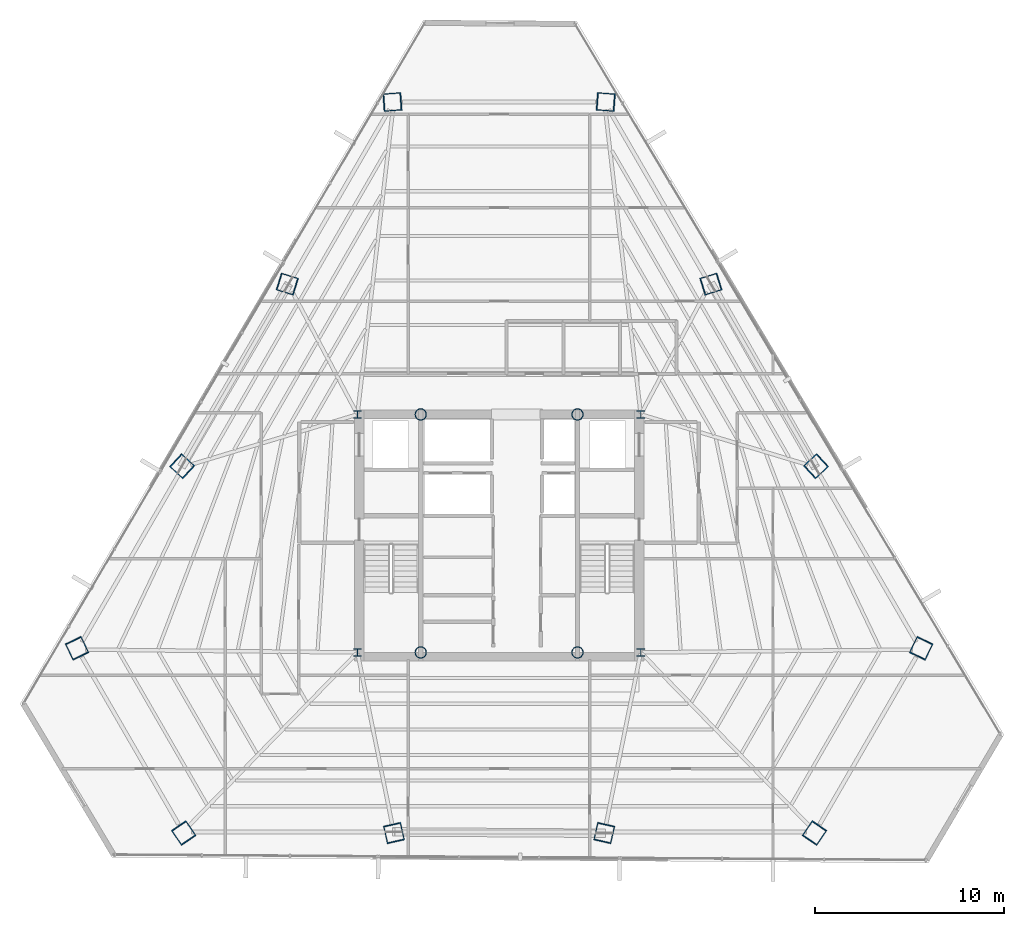
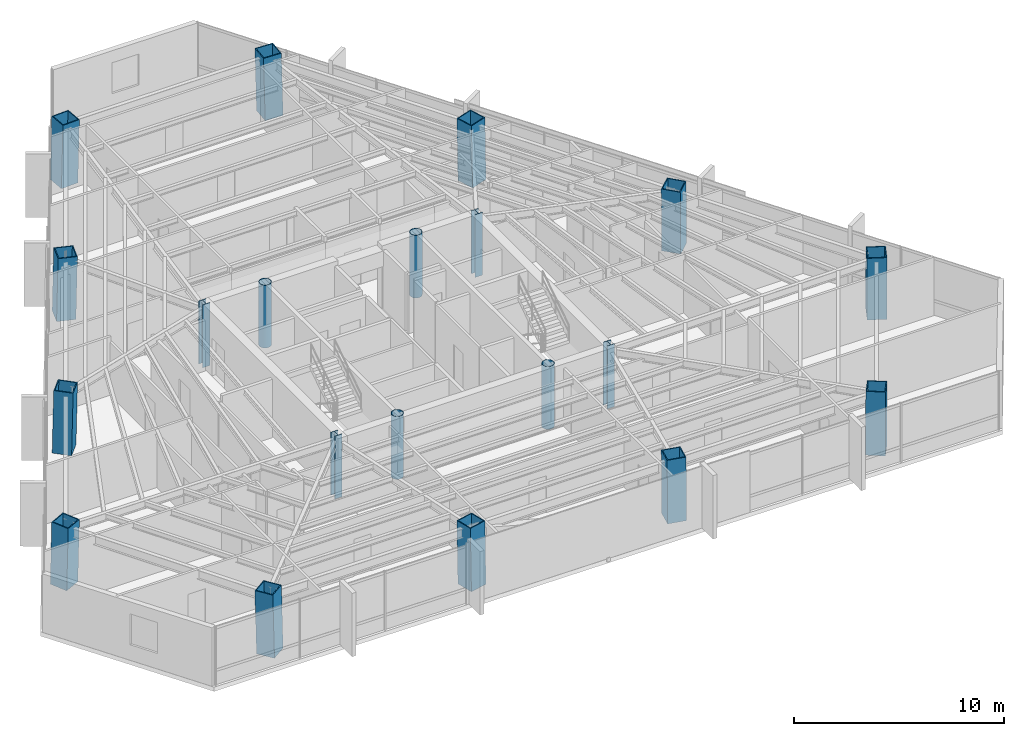
# One storey, part 1 of 41: 20 columns.
"""IFC4 building model written with IfcOpenShell, lengths in metres."""

from ifc_helpers import new_model, si_unit, direction, frame, origin, origin_2d, place, context, subcontext, project, spatial, hollow_rectangle, hollow_circle, i_section, extrude, source, transform, mapped, material, material_profile, profile_set, type_object, type_shapes, element, save


model = new_model("IFC4")

# Units and contexts
model_context = context("Model", 3, precision=1e-05, world=origin(), true_north=direction((0.0, 1.0)))
body_context = subcontext(model_context, "Body", "Model", "MODEL_VIEW")
ifc_project = project(units=[si_unit("LENGTHUNIT", "METRE"), si_unit("AREAUNIT", "SQUARE_METRE"), si_unit("VOLUMEUNIT", "CUBIC_METRE"), si_unit("PLANEANGLEUNIT", "RADIAN"), si_unit("MASSUNIT", "GRAM", prefix="KILO")], contexts=[model_context])

# Site, building, storey
site_placement = place(None, origin())
site = spatial("IfcSite", under=ifc_project, at=site_placement, CompositionType="ELEMENT")
building_placement = place(site_placement, origin())
building = spatial("IfcBuilding", under=site, at=building_placement, Name="Caelisora Broadcast Tower", CompositionType="ELEMENT")
storey_placement = place(building_placement, frame((0.0, 0.0, 180.39990234375)))
storey = spatial("IfcBuildingStorey", under=building, at=storey_placement, Name="L47", CompositionType="ELEMENT", Elevation=180.39990234375)

# Columns
ifc_material_1 = material(Name="Steel Grade 350 (AS/NZS 3679.2)", Category="steel")
ifc_material_profile_1 = material_profile(ifc_material_1, i_section(OverallWidth=0.39990234375, OverallDepth=0.39990234375, WebThickness=0.02001953125, FlangeThickness=0.031982421875, at=origin_2d()), Name="Steel Grade 350 (AS/NZS 3679.2)")
ifc_profile_set_1 = profile_set([ifc_material_profile_1], Name="Steel Grade 350 (AS/NZS 3679.2)")
column_type_1 = type_object("IfcColumnType", Name="CC02", PredefinedType="COLUMN", material=ifc_profile_set_1)
shared_shape_1 = source(origin(), body_context, "Body", "SweptSolid", [
    extrude(i_section(OverallWidth=0.39990234375, OverallDepth=0.39990234375, WebThickness=0.02001953125, FlangeThickness=0.031982421875, at=origin_2d()), origin(), (0.0, 0.0, 1.0), 3.650146484375),
])
type_shapes(column_type_1, [shared_shape_1])
for number, where, z_axis, x_axis, name in (
    (1, (30.5, 17.39990234375, 0.0), (0.0, 0.0, 1.0), (1.0, 0.0, 0.0), "L47 column CC02"),
    (2, (45.5, 17.39990234375, 0.0), (0.0, 0.0, 1.0), (1.0, 0.0, 0.0), "L47 column CC02"),
    (3, (45.5, 30.0, 0.0), (0.0, 0.0, 1.0), (1.0, 0.0, 0.0), "L47 column CC02"),
    (4, (30.5, 30.0, 0.0), (0.0, 0.0, 1.0), (1.0, 0.0, 0.0), "L47 column CC02"),
):
    element("IfcColumn", number, at=place(storey_placement, frame(where, z_axis=z_axis, x_axis=x_axis)), inside=storey, type_object=column_type_1, Name=name, PredefinedType="COLUMN", context=body_context, shape_type="MappedRepresentation", body=[
        mapped(shared_shape_1, transform((0.0, 0.0, 0.0), scale=1.0)),
    ])
ifc_material_2 = material(Name="Steel Grade 350 L15 (AS/NZS 3678)", Category="steel")
ifc_material_profile_2 = material_profile(ifc_material_2, hollow_circle(Radius=0.304931640625, WallThickness=0.02490234375, at=origin_2d()), Name="Steel Grade 350 L15 (AS/NZS 3678)")
ifc_profile_set_2 = profile_set([ifc_material_profile_2], Name="Steel Grade 350 L15 (AS/NZS 3678)")
column_type_2 = type_object("IfcColumnType", Name="CC06", PredefinedType="COLUMN", material=ifc_profile_set_2)
shared_shape_2 = source(origin(), body_context, "Body", "SweptSolid", [
    extrude(hollow_circle(Radius=0.304931640625, WallThickness=0.02490234375, at=origin_2d()), origin(), (0.0, 0.0, 1.0), 3.650146484375),
])
type_shapes(column_type_2, [shared_shape_2])
for number, where, z_axis, x_axis, name in (
    (5, (33.85009765625, 17.39990234375, 0.0), (0.0, 0.0, 1.0), (1.0, 0.0, 0.0), "L47 column CC06"),
    (6, (42.14990234375, 17.39990234375, 0.0), (0.0, 0.0, 1.0), (1.0, 0.0, 0.0), "L47 column CC06"),
    (7, (33.85009765625, 30.0, 0.0), (0.0, 0.0, 1.0), (1.0, 0.0, 0.0), "L47 column CC06"),
    (8, (42.14990234375, 30.0, 0.0), (0.0, 0.0, 1.0), (1.0, 0.0, 0.0), "L47 column CC06"),
):
    element("IfcColumn", number, at=place(storey_placement, frame(where, z_axis=z_axis, x_axis=x_axis)), inside=storey, type_object=column_type_2, Name=name, PredefinedType="COLUMN", context=body_context, shape_type="MappedRepresentation", body=[
        mapped(shared_shape_2, transform((0.0, 0.0, 0.0), scale=1.0)),
    ])
ifc_material_profile_3 = material_profile(ifc_material_2, hollow_rectangle(XDim=0.949951171875, YDim=0.949951171875, WallThickness=0.050048828125, at=origin_2d()), Name="Steel Grade 350 L15 (AS/NZS 3678)")
ifc_profile_set_3 = profile_set([ifc_material_profile_3], Name="Steel Grade 350 L15 (AS/NZS 3678)")
column_type_3 = type_object("IfcColumnType", Name="MC04", PredefinedType="COLUMN", material=ifc_profile_set_3)
shared_shape_3 = source(origin(), body_context, "Body", "SweptSolid", [
    extrude(hollow_rectangle(XDim=0.949951171875, YDim=0.949951171875, WallThickness=0.050048828125, at=origin_2d()), origin(), (0.0, 0.0, 1.0), 3.65087890625),
])
for number, where, z_axis, x_axis, name in (
    (9, (26.775146484375, 36.90478515625, 0.0), (0.01939269685, -0.00601842316, 0.999793829693), (0.296399214872, 0.955064136811, 0.0), "L47 column MC04"),
    (10, (21.211669921875, 27.2685546875, 0.0), (0.014912316331, -0.013775502979, 0.999793907933), (0.678553674548, 0.734550822447, 0.0), "L47 column MC04"),
    (11, (32.4365234375, 7.82666015625, 0.0), (-0.004480382638, 0.019793929266, 0.999794042058), (-0.975326687046, -0.220766513622, 0.0), "L47 column MC04"),
    (12, (43.5634765625, 7.82666015625, 0.0), (0.004480382638, 0.019793929266, 0.999794042058), (-0.975326687046, 0.220766513622, 0.0), "L47 column MC04"),
    (13, (54.788330078125, 27.2685546875, 0.0), (-0.014912316331, -0.013775502979, 0.999793907933), (0.678553674548, -0.734550822447, 0.0), "L47 column MC04"),
    (14, (49.224853515625, 36.90478515625, 0.0), (-0.01939269685, -0.00601842316, 0.999793829693), (0.296399214872, -0.955064136811, 0.0), "L47 column MC04"),
):
    element("IfcColumn", number, at=place(storey_placement, frame(where, z_axis=z_axis, x_axis=x_axis)), inside=storey, type_object=column_type_3, Name=name, PredefinedType="COLUMN", context=body_context, shape_type="MappedRepresentation", body=[
        mapped(shared_shape_3, transform((0.0, 0.0, 0.0), scale=1.0)),
    ])
shared_shape_4 = source(origin(), body_context, "Body", "SweptSolid", [
    extrude(hollow_rectangle(XDim=0.949951171875, YDim=0.949951171875, WallThickness=0.050048828125, at=origin_2d()), origin(), (0.0, 0.0, 1.0), 3.651123046875),
])
type_shapes(column_type_3, [shared_shape_3, shared_shape_4])
for number, where, z_axis, x_axis, name in (
    (15, (43.66162109375, 46.541015625, 0.0), (-0.023937988913, 0.001738513161, 0.999711933638), (-0.072434920849, -0.997373140926, 0.0), "L47 column MC04"),
    (16, (32.33837890625, 46.541015625, 0.0), (0.023937988913, 0.001738513161, 0.999711933638), (-0.072434920849, 0.997373140926, 0.0), "L47 column MC04"),
    (17, (15.648193359375, 17.632568359375, 0.0), (0.010431083049, -0.021597691184, 0.999712324742), (0.900476348161, 0.434904985489, 0.0), "L47 column MC04"),
    (18, (21.309814453125, 7.82666015625, 0.0), (-0.013506922627, 0.019792322266, 0.999712872289), (-0.825991119814, -0.563683129062, 0.0), "L47 column MC04"),
    (19, (54.690185546875, 7.82666015625, 0.0), (0.013506922627, 0.019792322266, 0.999712872289), (-0.825991119814, 0.563683129062, 0.0), "L47 column MC04"),
    (20, (60.351806640625, 17.632568359375, 0.0), (-0.010431083049, -0.021597691184, 0.999712324742), (0.900476348161, -0.434904985489, 0.0), "L47 column MC04"),
):
    element("IfcColumn", number, at=place(storey_placement, frame(where, z_axis=z_axis, x_axis=x_axis)), inside=storey, type_object=column_type_3, Name=name, PredefinedType="COLUMN", context=body_context, shape_type="MappedRepresentation", body=[
        mapped(shared_shape_4, transform((0.0, 0.0, 0.0), scale=1.0)),
    ])

save(model, "model.ifc")
